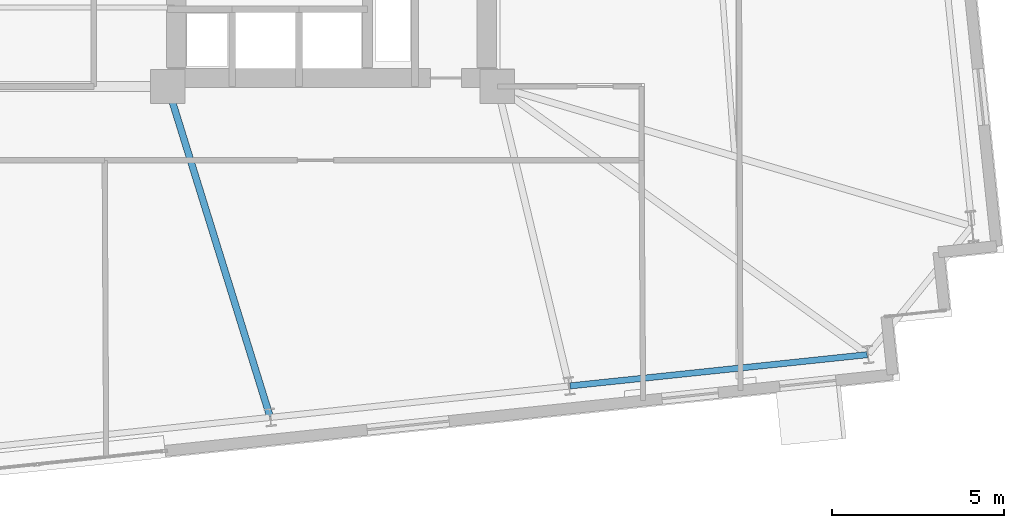
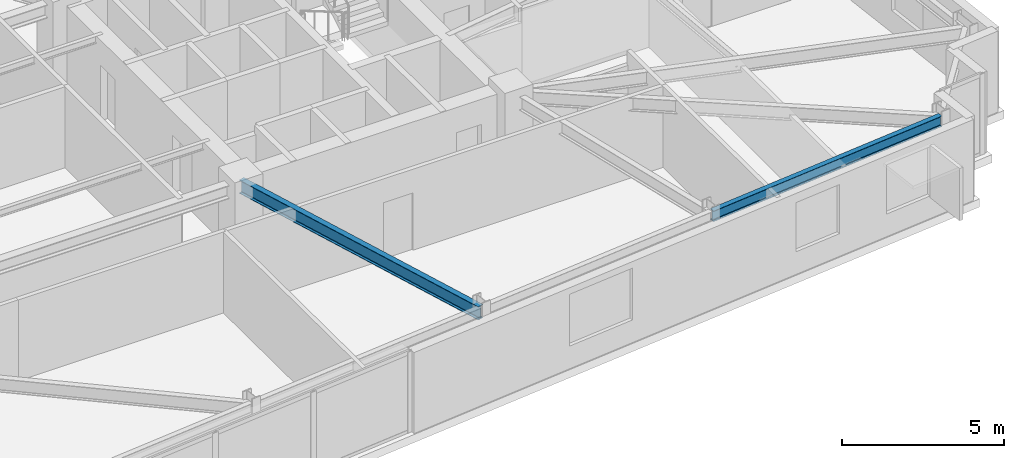
# One storey, part 9 of 23: 2 beams.
"""IFC4 building model written with IfcOpenShell, lengths in metres."""

from ifc_helpers import new_model, si_unit, direction, frame, origin, origin_2d, place, context, subcontext, project, spatial, i_section, extrude, material, material_profile, profile_set, type_object, element, save


model = new_model("IFC4")

# Units and contexts
model_context = context("Model", 3, precision=1e-05, world=origin(), true_north=direction((0.0, 1.0)))
body_context = subcontext(model_context, "Body", "Model", "MODEL_VIEW")
ifc_project = project(units=[si_unit("LENGTHUNIT", "METRE"), si_unit("AREAUNIT", "SQUARE_METRE"), si_unit("VOLUMEUNIT", "CUBIC_METRE"), si_unit("PLANEANGLEUNIT", "RADIAN"), si_unit("MASSUNIT", "GRAM", prefix="KILO")], contexts=[model_context])

# Site, building, storey
site_placement = place(None, origin())
site = spatial("IfcSite", under=ifc_project, at=site_placement, CompositionType="ELEMENT")
building_placement = place(site_placement, origin())
building = spatial("IfcBuilding", under=site, at=building_placement, Name="Qobustan Lattice House", CompositionType="ELEMENT")
storey_placement = place(building_placement, frame((0.0, 0.0, 95.75)))
storey = spatial("IfcBuildingStorey", under=building, at=storey_placement, Name="L26", CompositionType="ELEMENT", Elevation=95.75)

# Beams
ifc_material_1 = material(Name="Steel S355", Category="steel")
ifc_material_profile_1 = material_profile(ifc_material_1, i_section(OverallWidth=0.199951171875, OverallDepth=0.5, WebThickness=0.01025390625, FlangeThickness=0.01611328125, FilletRadius=0.02099609375, at=origin_2d()), Name="IPE500")
ifc_profile_set_1 = profile_set([ifc_material_profile_1], Name="Steel S355")
beam_type_1 = type_object("IfcBeamType", Name="BM-FLG-IPE500", PredefinedType="USERDEFINED", material=ifc_profile_set_1)
beam_1_placement = place(storey_placement, frame((12.181396484375, -15.212646484375, 2.794921875), z_axis=(-0.296219460995, 0.955119903953, 0.0), x_axis=(-0.955119903953, -0.296219460995, 0.0)))
element("IfcBeam", 1, at=beam_1_placement, inside=storey, type_object=beam_type_1, Name="L26 primary floor girder RAD-S5", ObjectType="GIRDER", PredefinedType="USERDEFINED", context=body_context, shape_type="SweptSolid", body=[
    extrude(i_section(OverallWidth=0.199951171875, OverallDepth=0.5, WebThickness=0.01025390625, FlangeThickness=0.01611328125, FilletRadius=0.02099609375, at=origin_2d()), origin(), (0.0, 0.0, 1.0), 10.03955078125),
])
ifc_material_2 = material(Name="Steel S355", Category="steel")
ifc_material_profile_2 = material_profile(ifc_material_2, i_section(OverallWidth=0.179931640625, OverallDepth=0.39990234375, WebThickness=0.008544921875, FlangeThickness=0.013427734375, FilletRadius=0.02099609375, at=origin_2d()), Name="IPE400")
ifc_profile_set_2 = profile_set([ifc_material_profile_2], Name="Steel S355")
beam_type_2 = type_object("IfcBeamType", Name="BM-SPD-IPE400", PredefinedType="SPANDREL", material=ifc_profile_set_2)
beam_2_placement = place(storey_placement, frame((20.915771484375, -14.3193359375, 2.844970703125), z_axis=(0.994521586424, 0.104531402636, 0.0), x_axis=(-0.104531402636, 0.994521586424, 0.0)))
element("IfcBeam", 2, at=beam_2_placement, inside=storey, type_object=beam_type_2, Name="L26 perimeter spandrel S6-S7", PredefinedType="SPANDREL", context=body_context, shape_type="SweptSolid", body=[
    extrude(i_section(OverallWidth=0.179931640625, OverallDepth=0.39990234375, WebThickness=0.008544921875, FlangeThickness=0.013427734375, FilletRadius=0.02099609375, at=origin_2d()), origin(), (0.0, 0.0, 1.0), 8.699951171875),
])

save(model, "model.ifc")
